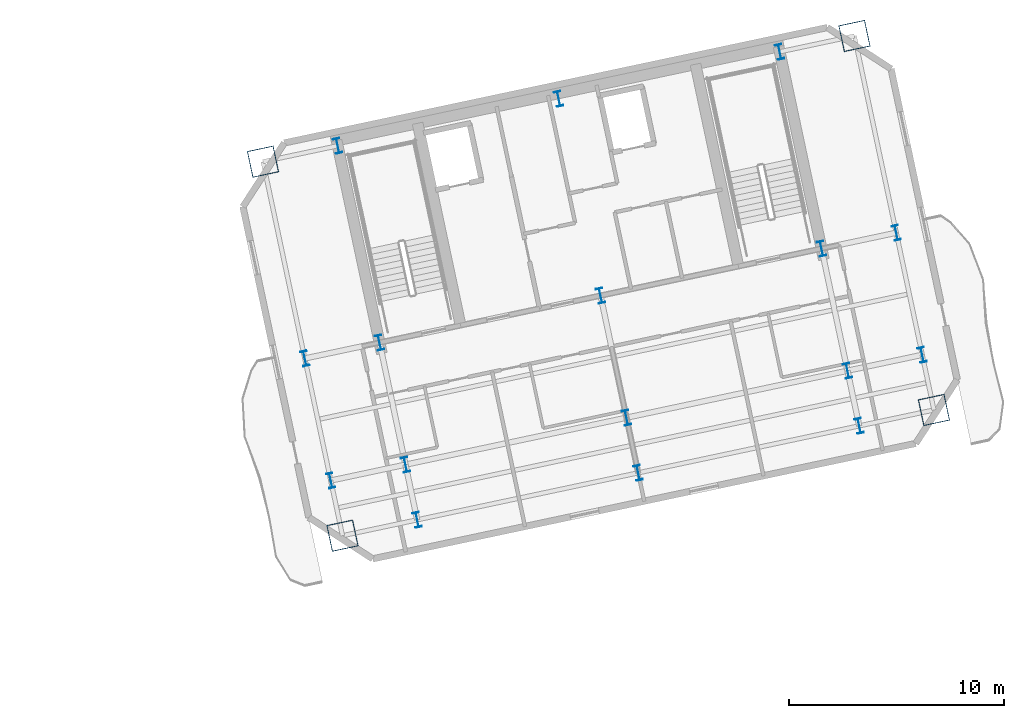
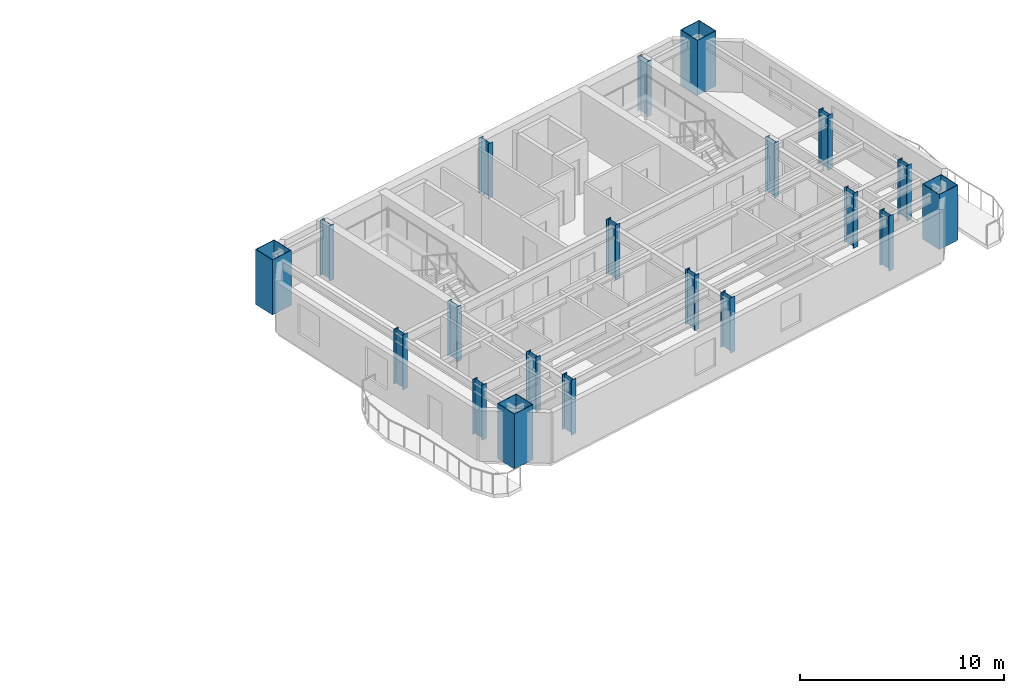
# One storey, part 2 of 14: 20 columns.
"""IFC4 building model written with IfcOpenShell, lengths in metres."""

import ifcopenshell
import ifcopenshell.guid

model = None  # the IFC model being written
_history = None  # IfcOwnerHistory: only IFC2X3 demands one
_inside = {}  # id of a spatial element -> (the spatial element, [elements in it])
_under = {}  # id of a project, library or spatial element -> (it, [spatial elements below it])
_declared = {}  # id of a project -> (the project, [libraries it declares])
_typed = {}  # id of a type object -> (the type object, [elements of that type])
_made_of = {}  # id of a material, layer set ... -> (it, [elements and type objects made of it])


def new_model(schema):
    """Start an empty IFC model of exactly this schema.

    Asked for "IFC4X3", IfcOpenShell would pick the latest addendum, in which some entities
    have other attributes; the version numbers below select the first issue.
    IFC2X3 requires an IfcOwnerHistory on every rooted entity: one is made here for all.
    """
    global model, _history
    if schema == "IFC4X3":
        model = ifcopenshell.file(schema_version=(4, 3, 0, 0))
    else:
        model = ifcopenshell.file(schema=schema)
    _inside.clear()
    _under.clear()
    _declared.clear()
    _typed.clear()
    _made_of.clear()
    _history = None
    if model.schema == "IFC2X3":
        org = make("IfcOrganization", Name="unknown")
        user = make(
            "IfcPersonAndOrganization",
            ThePerson=make("IfcPerson", FamilyName="unknown"),
            TheOrganization=org,
        )
        app = make(
            "IfcApplication",
            ApplicationDeveloper=org,
            Version="unknown",
            ApplicationFullName="unknown",
            ApplicationIdentifier="unknown",
        )
        _history = make(
            "IfcOwnerHistory",
            OwningUser=user,
            OwningApplication=app,
            ChangeAction="ADDED",
            CreationDate=0,
        )
    return model


def make(cls, **values):
    """One entity of the class cls with the attributes given. An attribute that is None is left unset."""
    return model.create_entity(
        cls, **{name: value for name, value in values.items() if value is not None}
    )


def rooted(cls, **values):
    """An entity with a GlobalId (a new one), such as an element, a storey or a relation."""
    return make(cls, GlobalId=ifcopenshell.guid.new(), OwnerHistory=_history, **values)


def si_unit(unit_type, name, prefix=None):
    """IfcSIUnit, for example si_unit("LENGTHUNIT", "METRE", prefix="MILLI")."""
    return make("IfcSIUnit", UnitType=unit_type, Prefix=prefix, Name=name)


def assignment(units):
    """IfcUnitAssignment: the units of a project."""
    return None if units is None else make("IfcUnitAssignment", Units=units)


def point(xyz):
    """IfcCartesianPoint."""
    return None if xyz is None else make("IfcCartesianPoint", Coordinates=xyz)


def direction(xyz):
    """IfcDirection."""
    return None if xyz is None else make("IfcDirection", DirectionRatios=xyz)


def frame(location, z_axis=None, x_axis=None):
    """IfcAxis2Placement3D, a coordinate frame: its origin and axes. An axis left out is left unset."""
    return make(
        "IfcAxis2Placement3D",
        Location=point(location),
        Axis=direction(z_axis),
        RefDirection=direction(x_axis),
    )


def frame_2d(location, x_axis=None):
    """IfcAxis2Placement2D, a coordinate frame in the plane: its origin and x axis."""
    return make(
        "IfcAxis2Placement2D", Location=point(location), RefDirection=direction(x_axis)
    )


def origin():
    """The frame at (0, 0, 0) with its axes left unset."""
    return frame((0.0, 0.0, 0.0))


def origin_2d():
    """The frame at (0, 0) in the plane with its x axis left unset."""
    return frame_2d((0.0, 0.0))


def place(relative_to, where):
    """IfcLocalPlacement: puts the frame where relative to a parent placement (None: the world)."""
    return make(
        "IfcLocalPlacement", PlacementRelTo=relative_to, RelativePlacement=where
    )


def context(
    kind, dimensions, precision=None, world=None, true_north=None, identifier=None
):
    """IfcGeometricRepresentationContext, for example the 3D "Model" context."""
    return make(
        "IfcGeometricRepresentationContext",
        ContextIdentifier=identifier,
        ContextType=kind,
        CoordinateSpaceDimension=dimensions,
        Precision=precision,
        WorldCoordinateSystem=world,
        TrueNorth=true_north,
    )


def subcontext(parent, identifier, kind, view, scale=None):
    """IfcGeometricRepresentationSubContext, for example "Body" below "Model"."""
    return make(
        "IfcGeometricRepresentationSubContext",
        ContextIdentifier=identifier,
        ContextType=kind,
        ParentContext=parent,
        TargetScale=scale,
        TargetView=view,
    )


def project(units=None, contexts=None):
    """IfcProject with its units and contexts."""
    return rooted(
        "IfcProject",
        Name="project",
        RepresentationContexts=contexts,
        UnitsInContext=assignment(units),
    )


def spatial(cls, under=None, at=None, **own):
    """A site, building, storey or space (cls), placed at a placement, below another one or the project."""
    s = rooted(cls, ObjectPlacement=at, **own)
    if under is not None:
        _under.setdefault(under.id(), (under, []))[1].append(s)
    return s


def profile(cls, at=None, kind="AREA", **sizes):
    """A parametric profile (cls). Its sizes go by their IFC names, for example OverallWidth=200.0."""
    return make(cls, ProfileType=kind, Position=at, **sizes)


def hollow_rectangle(**sizes):
    """IfcRectangleHollowProfileDef."""
    return profile("IfcRectangleHollowProfileDef", **sizes)


def i_section(**sizes):
    """IfcIShapeProfileDef."""
    return profile("IfcIShapeProfileDef", **sizes)


def extrude(swept, where, along, depth):
    """IfcExtrudedAreaSolid: the profile swept, set in the frame where, extruded along a direction by depth."""
    return make(
        "IfcExtrudedAreaSolid",
        SweptArea=swept,
        Position=where,
        ExtrudedDirection=direction(along),
        Depth=depth,
    )


def shape(context_of_items, identifier, shape_type, items):
    """IfcShapeRepresentation: the items that make up one representation, for example the "Body"."""
    return make(
        "IfcShapeRepresentation",
        ContextOfItems=context_of_items,
        RepresentationIdentifier=identifier,
        RepresentationType=shape_type,
        Items=items,
    )


def material(Name=None, Category=None):
    """IfcMaterial."""
    return make("IfcMaterial", Name=Name, Category=Category)


def material_profile(
    of_material, cross_section, Name=None, Category=None, Priority=None
):
    """IfcMaterialProfile: a cross section and its material."""
    return make(
        "IfcMaterialProfile",
        Name=Name,
        Material=of_material,
        Profile=cross_section,
        Priority=Priority,
        Category=Category,
    )


def profile_set(profiles, Name=None, composite=None):
    """IfcMaterialProfileSet."""
    return make(
        "IfcMaterialProfileSet",
        Name=Name,
        MaterialProfiles=profiles,
        CompositeProfile=composite,
    )


def made_of(thing, what):
    """Note that an element or type object is made of a material, layer set ...; save() writes the relation."""
    if what is not None:
        _made_of.setdefault(what.id(), (what, []))[1].append(thing)
    return thing


def type_object(cls, material=None, **own):
    """A type object (cls), such as IfcWallType, which elements share."""
    return made_of(rooted(cls, **own), material)


def element(
    cls,
    number,
    at=None,
    inside=None,
    cuts=None,
    type_object=None,
    material=None,
    context=None,
    identifier="Body",
    shape_type=None,
    held_by="IfcProductDefinitionShape",
    body=None,
    shapes=None,
    **own,
):
    """One element of the class cls, such as IfcWall. Its Tag is "e" and its number.

    at: its placement. inside: the storey or other place that contains it. cuts: it is an
    opening in that element (IfcRelVoidsElement). A single representation is given by context,
    identifier, shape_type and body (its items); several are given by shapes. held_by: the class
    of the entity that holds the representations. save() writes the other relations.
    """
    e = rooted(cls, Tag="e%d" % number, ObjectPlacement=at, **own)
    if body is not None:
        shapes = [shape(context, identifier, shape_type, body)]
    if shapes is not None:
        e.Representation = make(held_by, Representations=shapes)
    if inside is not None:
        _inside.setdefault(inside.id(), (inside, []))[1].append(e)
    if cuts is not None:
        rooted(
            "IfcRelVoidsElement", RelatingBuildingElement=cuts, RelatedOpeningElement=e
        )
    if type_object is not None:
        _typed.setdefault(type_object.id(), (type_object, []))[1].append(e)
    return made_of(e, material)


def aggregate(whole, parts):
    """IfcRelAggregates: a whole, such as a stair, and the parts it consists of."""
    return rooted("IfcRelAggregates", RelatingObject=whole, RelatedObjects=parts)


def save(model, path):
    """Write the relations noted so far, then the file.

    IfcRelAggregates (storeys below a building ...), IfcRelContainedInSpatialStructure (elements
    in a storey), IfcRelDefinesByType, IfcRelAssociatesMaterial and IfcRelDeclares: one each for
    every whole, place, type object, material and project.
    """
    for whole, parts in _under.values():
        aggregate(whole, parts)
    for where, things in _inside.values():
        rooted(
            "IfcRelContainedInSpatialStructure",
            RelatedElements=things,
            RelatingStructure=where,
        )
    for kind, things in _typed.values():
        rooted("IfcRelDefinesByType", RelatedObjects=things, RelatingType=kind)
    for what, things in _made_of.values():
        rooted("IfcRelAssociatesMaterial", RelatedObjects=things, RelatingMaterial=what)
    for by, libraries in _declared.values():
        rooted("IfcRelDeclares", RelatingContext=by, RelatedDefinitions=libraries)
    model.write(path)


model = new_model("IFC4")

# Units and contexts
model_context = context("Model", 3, precision=1e-05, world=origin(), true_north=direction((0.0, 1.0)))
body_context = subcontext(model_context, "Body", "Model", "MODEL_VIEW")
ifc_project = project(units=[si_unit("LENGTHUNIT", "METRE"), si_unit("AREAUNIT", "SQUARE_METRE"), si_unit("VOLUMEUNIT", "CUBIC_METRE"), si_unit("PLANEANGLEUNIT", "RADIAN"), si_unit("MASSUNIT", "GRAM", prefix="KILO")], contexts=[model_context])

# Site, building, storey
site_placement = place(None, origin())
site = spatial("IfcSite", under=ifc_project, at=site_placement, CompositionType="ELEMENT")
building_placement = place(site_placement, origin())
building = spatial("IfcBuilding", under=site, at=building_placement, Name="Haevon Station Towers", CompositionType="ELEMENT")
storey_placement = place(building_placement, frame((0.0, 0.0, 179.10009765625)))
storey = spatial("IfcBuildingStorey", under=building, at=storey_placement, Name="L49", CompositionType="ELEMENT", Elevation=179.10009765625)

# Columns
ifc_material_1 = material(Name="Steel S460", Category="steel")
ifc_material_profile_1 = material_profile(ifc_material_1, hollow_rectangle(XDim=1.25, YDim=1.25, WallThickness=0.034912109375, at=origin_2d()), Name="BOX-1250x1250x35")
ifc_profile_set_1 = profile_set([ifc_material_profile_1], Name="Steel S460")
column_type_1 = type_object("IfcColumnType", Name="COL-MC4", PredefinedType="COLUMN", material=ifc_profile_set_1)
for number, where, z_axis, x_axis, name in (
    (1, (97.030517578125, 28.46826171875, 0.0), (0.0, 0.0, 1.0), (0.978147600734, 0.207911690818, 0.0), "COL-T2-L49-01-01"),
    (2, (93.3359375, 45.85009765625, 0.0), (0.0, 0.0, 1.0), (0.978147600734, 0.207911690818, 0.0), "COL-T2-L49-01-04"),
    (3, (124.5166015625, 34.310546875, 0.0), (0.0, 0.0, 1.0), (0.978147600734, 0.207911690818, 0.0), "COL-T2-L49-05-01"),
    (4, (120.822021484375, 51.6923828125, 0.0), (0.0, 0.0, 1.0), (0.978147600734, 0.207911690818, 0.0), "COL-T2-L49-05-04"),
):
    element("IfcColumn", number, at=place(storey_placement, frame(where, z_axis=z_axis, x_axis=x_axis)), inside=storey, type_object=column_type_1, Name=name, PredefinedType="COLUMN", context=body_context, shape_type="SweptSolid", body=[
        extrude(hollow_rectangle(XDim=1.25, YDim=1.25, WallThickness=0.034912109375, at=origin_2d()), origin(), (0.0, 0.0, 1.0), 3.2998046875),
    ])
ifc_material_2 = material(Name="Steel S355", Category="steel")
ifc_material_profile_2 = material_profile(ifc_material_2, i_section(OverallWidth=0.300048828125, OverallDepth=0.699951171875, WebThickness=0.01611328125, FlangeThickness=0.028076171875, at=origin_2d()), Name="H-700x300x16x28")
ifc_profile_set_2 = profile_set([ifc_material_profile_2], Name="Steel S355")
column_type_2 = type_object("IfcColumnType", Name="COL-TW3", PredefinedType="COLUMN", material=ifc_profile_set_2)
for number, where, z_axis, x_axis, name in (
    (5, (96.48583984375, 31.031005859375, 0.0), (0.0, 0.0, 1.0), (0.978147600734, 0.207911690818, 0.0), "COL-T2-L49-01-02"),
    (6, (95.280029296875, 36.704345703125, 0.0), (0.0, 0.0, 1.0), (0.978147600734, 0.207911690818, 0.0), "COL-T2-L49-01-03"),
    (7, (100.5029296875, 29.206298828125, 0.0), (0.0, 0.0, 1.0), (0.978147600734, 0.207911690818, 0.0), "COL-T2-L49-02-01"),
    (8, (99.958251953125, 31.76904296875, 0.0), (0.0, 0.0, 1.0), (0.978147600734, 0.207911690818, 0.0), "COL-T2-L49-02-02"),
    (9, (98.75244140625, 37.4423828125, 0.0), (0.0, 0.0, 1.0), (0.978147600734, 0.207911690818, 0.0), "COL-T2-L49-02-03"),
    (10, (96.808349609375, 46.588134765625, 0.0), (0.0, 0.0, 1.0), (0.978147600734, 0.207911690818, 0.0), "COL-T2-L49-02-04"),
    (11, (110.7734375, 31.389404296875, 0.0), (0.0, 0.0, 1.0), (0.978147600734, 0.207911690818, 0.0), "COL-T2-L49-03-01"),
    (12, (110.228759765625, 33.9521484375, 0.0), (0.0, 0.0, 1.0), (0.978147600734, 0.207911690818, 0.0), "COL-T2-L49-03-02"),
    (13, (109.02294921875, 39.62548828125, 0.0), (0.0, 0.0, 1.0), (0.978147600734, 0.207911690818, 0.0), "COL-T2-L49-03-03"),
    (14, (107.078857421875, 48.771240234375, 0.0), (0.0, 0.0, 1.0), (0.978147600734, 0.207911690818, 0.0), "COL-T2-L49-03-04"),
    (15, (121.0439453125, 33.572509765625, 0.0), (0.0, 0.0, 1.0), (0.978147600734, 0.207911690818, 0.0), "COL-T2-L49-04-01"),
    (16, (120.499267578125, 36.13525390625, 0.0), (0.0, 0.0, 1.0), (0.978147600734, 0.207911690818, 0.0), "COL-T2-L49-04-02"),
    (17, (119.29345703125, 41.80859375, 0.0), (0.0, 0.0, 1.0), (0.978147600734, 0.207911690818, 0.0), "COL-T2-L49-04-03"),
    (18, (117.349365234375, 50.954345703125, 0.0), (0.0, 0.0, 1.0), (0.978147600734, 0.207911690818, 0.0), "COL-T2-L49-04-04"),
    (19, (123.9716796875, 36.873291015625, 0.0), (0.0, 0.0, 1.0), (0.978147600734, 0.207911690818, 0.0), "COL-T2-L49-05-02"),
    (20, (122.765869140625, 42.546630859375, 0.0), (0.0, 0.0, 1.0), (0.978147600734, 0.207911690818, 0.0), "COL-T2-L49-05-03"),
):
    element("IfcColumn", number, at=place(storey_placement, frame(where, z_axis=z_axis, x_axis=x_axis)), inside=storey, type_object=column_type_2, Name=name, PredefinedType="COLUMN", context=body_context, shape_type="SweptSolid", body=[
        extrude(i_section(OverallWidth=0.300048828125, OverallDepth=0.699951171875, WebThickness=0.01611328125, FlangeThickness=0.028076171875, at=origin_2d()), origin(), (0.0, 0.0, 1.0), 3.2998046875),
    ])

save(model, "model.ifc")
